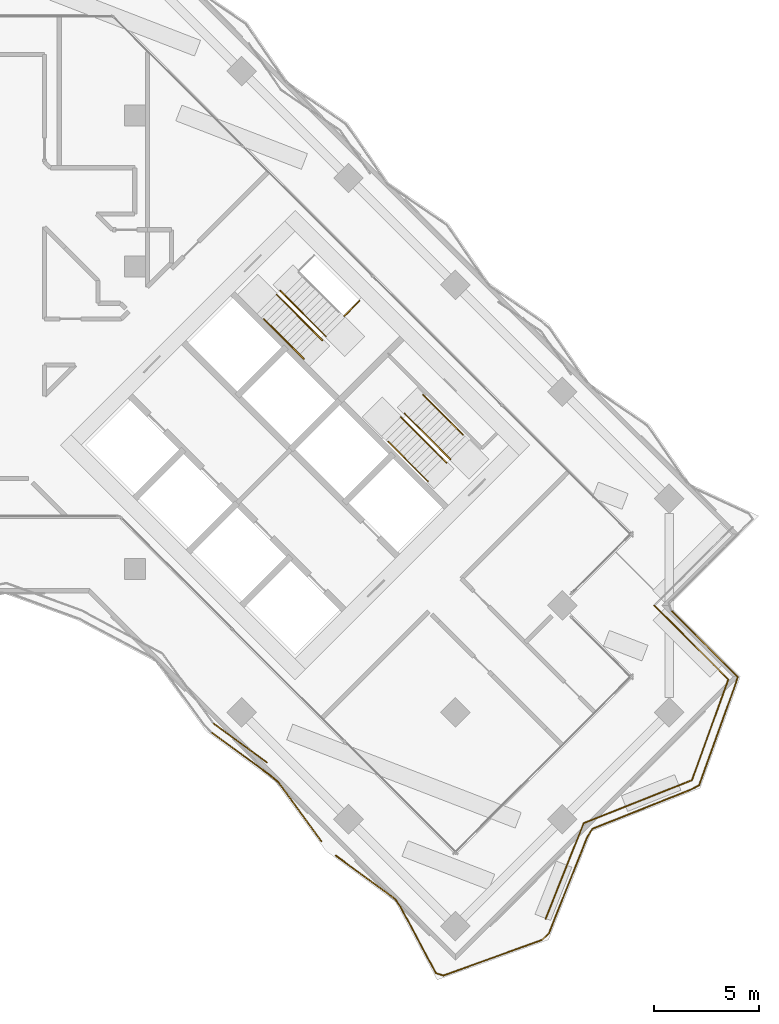
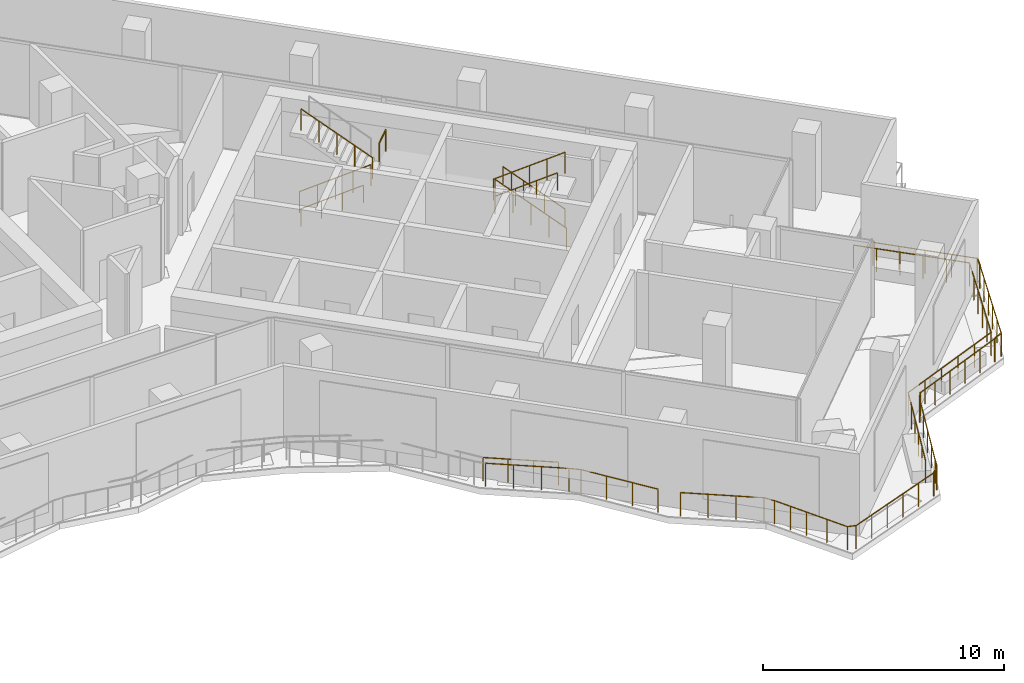
# One storey, part 21 of 23: 31 railings.
"""IFC4 building model written with IfcOpenShell, lengths in metres."""

from ifc_helpers import new_model, si_unit, direction, frame, origin, origin_2d, place, context, subcontext, project, spatial, circle, extrude, material, type_object, element, save


model = new_model("IFC4")

# Units and contexts
model_context = context("Model", 3, precision=1e-05, world=origin(), true_north=direction((0.0, 1.0)))
body_context = subcontext(model_context, "Body", "Model", "MODEL_VIEW")
ifc_project = project(units=[si_unit("LENGTHUNIT", "METRE"), si_unit("AREAUNIT", "SQUARE_METRE"), si_unit("VOLUMEUNIT", "CUBIC_METRE"), si_unit("PLANEANGLEUNIT", "RADIAN"), si_unit("MASSUNIT", "GRAM", prefix="KILO")], contexts=[model_context])

# Site, building, storey
site_placement = place(None, origin())
site = spatial("IfcSite", under=ifc_project, at=site_placement, CompositionType="ELEMENT")
building_placement = place(site_placement, origin())
building = spatial("IfcBuilding", under=site, at=building_placement, Name="Windrow Commons", CompositionType="ELEMENT")
storey_placement = place(building_placement, frame((0.0, 0.0, 122.0)))
storey = spatial("IfcBuildingStorey", under=building, at=storey_placement, Name="L33", CompositionType="ELEMENT", Elevation=122.0)

# Railings
ifc_material_1 = material(Name="Steel S355", Category="steel")
railing_type_1 = type_object("IfcRailingType", Name="Core stair guard 1100", PredefinedType="GUARDRAIL", material=ifc_material_1)
railing_1_placement = place(storey_placement, frame((85.9529, 56.2669, 0.175)))
element("IfcRailing", 1, at=railing_1_placement, inside=storey, type_object=railing_type_1, Name="L33 ST-B1 stair guard 1", PredefinedType="GUARDRAIL", context=body_context, shape_type="SweptSolid", body=[
    extrude(circle(Radius=0.024, at=origin_2d()), frame((0.0, 0.0, 1.076), z_axis=(0.5996262107, -0.5996262107, 0.5299969951), x_axis=(0.7071067812, 0.7071067812, 0.0)), (0.0, 0.0, 1.0), 3.6321),
    extrude(circle(Radius=0.021, at=origin_2d()), origin(), (0.0, 0.0, 1.0), 1.052),
    extrude(circle(Radius=0.021, at=origin_2d()), frame((0.5445, -0.5445, 0.4812)), (0.0, 0.0, 1.0), 1.052),
    extrude(circle(Radius=0.021, at=origin_2d()), frame((1.0889, -1.089, 0.9625)), (0.0, 0.0, 1.0), 1.052),
    extrude(circle(Radius=0.021, at=origin_2d()), frame((1.6334, -1.6334, 1.4437)), (0.0, 0.0, 1.0), 1.052),
    extrude(circle(Radius=0.021, at=origin_2d()), frame((2.1779, -2.1779, 1.925)), (0.0, 0.0, 1.0), 1.052),
])
railing_2_placement = place(storey_placement, frame((88.3075, 54.2658, 2.275)))
element("IfcRailing", 2, at=railing_2_placement, inside=storey, type_object=railing_type_1, Name="L33 ST-B1 stair guard 2", PredefinedType="GUARDRAIL", context=body_context, shape_type="SweptSolid", body=[
    extrude(circle(Radius=0.024, at=origin_2d()), frame((0.0, 0.0, 1.076), z_axis=(-0.5996262107, 0.5996262107, 0.5299969951), x_axis=(-0.7071067812, -0.7071067812, 0.0)), (0.0, 0.0, 1.0), 3.6321),
    extrude(circle(Radius=0.021, at=origin_2d()), origin(), (0.0, 0.0, 1.0), 1.052),
    extrude(circle(Radius=0.021, at=origin_2d()), frame((-0.5445, 0.5445, 0.4812)), (0.0, 0.0, 1.0), 1.052),
    extrude(circle(Radius=0.021, at=origin_2d()), frame((-1.089, 1.089, 0.9625)), (0.0, 0.0, 1.0), 1.052),
    extrude(circle(Radius=0.021, at=origin_2d()), frame((-1.6334, 1.6334, 1.4437)), (0.0, 0.0, 1.0), 1.052),
    extrude(circle(Radius=0.021, at=origin_2d()), frame((-2.1779, 2.1779, 1.925)), (0.0, 0.0, 1.0), 1.052),
])
railing_3_placement = place(storey_placement, frame((89.1773, 55.2345, 2.1)))
element("IfcRailing", 3, at=railing_3_placement, inside=storey, type_object=railing_type_1, Name="L33 ST-B1 stair guard 4", PredefinedType="GUARDRAIL", context=body_context, shape_type="SweptSolid", body=[
    extrude(circle(Radius=0.024, at=origin_2d()), frame((0.0, 0.0, 1.076), z_axis=(0.7071067812, 0.7071067812, 0.0), x_axis=(-0.7071067812, 0.7071067812, 0.0)), (0.0, 0.0, 1.0), 1.03),
    extrude(circle(Radius=0.021, at=origin_2d()), origin(), (0.0, 0.0, 1.0), 1.052),
    extrude(circle(Radius=0.021, at=origin_2d()), frame((0.7283, 0.7283, 0.0)), (0.0, 0.0, 1.0), 1.052),
])
railing_4_placement = place(storey_placement, frame((94.2296, 48.4215, 0.175)))
element("IfcRailing", 4, at=railing_4_placement, inside=storey, type_object=railing_type_1, Name="L33 ST-B2 stair guard 1", PredefinedType="GUARDRAIL", context=body_context, shape_type="SweptSolid", body=[
    extrude(circle(Radius=0.024, at=origin_2d()), frame((0.0, 0.0, 1.076), z_axis=(-0.5996262107, 0.5996262107, 0.5299969951), x_axis=(-0.7071067812, -0.7071067812, 0.0)), (0.0, 0.0, 1.0), 3.6321),
    extrude(circle(Radius=0.021, at=origin_2d()), origin(), (0.0, 0.0, 1.0), 1.052),
    extrude(circle(Radius=0.021, at=origin_2d()), frame((-0.5445, 0.5445, 0.4812)), (0.0, 0.0, 1.0), 1.052),
    extrude(circle(Radius=0.021, at=origin_2d()), frame((-1.089, 1.089, 0.9625)), (0.0, 0.0, 1.0), 1.052),
    extrude(circle(Radius=0.021, at=origin_2d()), frame((-1.6334, 1.6334, 1.4437)), (0.0, 0.0, 1.0), 1.052),
    extrude(circle(Radius=0.021, at=origin_2d()), frame((-2.1779, 2.1779, 1.925)), (0.0, 0.0, 1.0), 1.052),
])
railing_5_placement = place(storey_placement, frame((91.8749, 50.4226, 2.275)))
element("IfcRailing", 5, at=railing_5_placement, inside=storey, type_object=railing_type_1, Name="L33 ST-B2 stair guard 2", PredefinedType="GUARDRAIL", context=body_context, shape_type="SweptSolid", body=[
    extrude(circle(Radius=0.024, at=origin_2d()), frame((0.0, 0.0, 1.076), z_axis=(0.5996262107, -0.5996262107, 0.5299969951), x_axis=(0.7071067812, 0.7071067812, 0.0)), (0.0, 0.0, 1.0), 3.6321),
    extrude(circle(Radius=0.021, at=origin_2d()), origin(), (0.0, 0.0, 1.0), 1.052),
    extrude(circle(Radius=0.021, at=origin_2d()), frame((0.5445, -0.5445, 0.4812)), (0.0, 0.0, 1.0), 1.052),
    extrude(circle(Radius=0.021, at=origin_2d()), frame((1.089, -1.089, 0.9625)), (0.0, 0.0, 1.0), 1.052),
    extrude(circle(Radius=0.021, at=origin_2d()), frame((1.6334, -1.6334, 1.4437)), (0.0, 0.0, 1.0), 1.052),
    extrude(circle(Radius=0.021, at=origin_2d()), frame((2.1779, -2.1779, 1.925)), (0.0, 0.0, 1.0), 1.052),
])
ifc_material_2 = material(Name="Steel S355", Category="steel")
railing_type_2 = type_object("IfcRailingType", Name="Core stair handrail 900", PredefinedType="HANDRAIL", material=ifc_material_2)
railing_6_placement = place(storey_placement, frame((85.3518, 55.1001, 0.425)))
element("IfcRailing", 6, at=railing_6_placement, inside=storey, type_object=railing_type_2, Name="L33 ST-B1 stair handrail 1", PredefinedType="HANDRAIL", context=body_context, shape_type="SweptSolid", body=[
    extrude(circle(Radius=0.024, at=origin_2d()), frame((0.0, 0.0, 0.876), z_axis=(0.599641512, -0.5996098703, 0.5299981703), x_axis=(0.7070881243, 0.7071254376, 0.0)), (0.0, 0.0, 1.0), 3.1604),
    extrude(circle(Radius=0.021, at=origin_2d()), origin(), (0.0, 0.0, 1.0), 0.852),
    extrude(circle(Radius=0.021, at=origin_2d()), frame((0.6317, -0.6317, 0.5583)), (0.0, 0.0, 1.0), 0.852),
    extrude(circle(Radius=0.021, at=origin_2d()), frame((1.2634, -1.2633, 1.1167)), (0.0, 0.0, 1.0), 0.852),
    extrude(circle(Radius=0.021, at=origin_2d()), frame((1.8951, -1.895, 1.675)), (0.0, 0.0, 1.0), 0.852),
])
railing_7_placement = place(storey_placement, frame((94.8306, 49.5883, 0.425)))
element("IfcRailing", 7, at=railing_7_placement, inside=storey, type_object=railing_type_2, Name="L33 ST-B2 stair handrail 1", PredefinedType="HANDRAIL", context=body_context, shape_type="SweptSolid", body=[
    extrude(circle(Radius=0.024, at=origin_2d()), frame((0.0, 0.0, 0.876), z_axis=(-0.599641512, 0.5996098703, 0.5299981703), x_axis=(-0.7070881243, -0.7071254376, 0.0)), (0.0, 0.0, 1.0), 3.1604),
    extrude(circle(Radius=0.021, at=origin_2d()), origin(), (0.0, 0.0, 1.0), 0.852),
    extrude(circle(Radius=0.021, at=origin_2d()), frame((-0.6317, 0.6317, 0.5583)), (0.0, 0.0, 1.0), 0.852),
    extrude(circle(Radius=0.021, at=origin_2d()), frame((-1.2634, 1.2633, 1.1167)), (0.0, 0.0, 1.0), 0.852),
    extrude(circle(Radius=0.021, at=origin_2d()), frame((-1.8951, 1.895, 1.675)), (0.0, 0.0, 1.0), 0.852),
])
railing_8_placement = place(storey_placement, frame((91.2738, 49.2559, 2.525)))
element("IfcRailing", 8, at=railing_8_placement, inside=storey, type_object=railing_type_2, Name="L33 ST-B2 stair handrail 2", PredefinedType="HANDRAIL", context=body_context, shape_type="SweptSolid", body=[
    extrude(circle(Radius=0.024, at=origin_2d()), frame((0.0, 0.0, 0.876), z_axis=(0.599641512, -0.5996098703, 0.5299981703), x_axis=(0.7070881243, 0.7071254376, 0.0)), (0.0, 0.0, 1.0), 3.1604),
    extrude(circle(Radius=0.021, at=origin_2d()), origin(), (0.0, 0.0, 1.0), 0.852),
    extrude(circle(Radius=0.021, at=origin_2d()), frame((0.6317, -0.6317, 0.5583)), (0.0, 0.0, 1.0), 0.852),
    extrude(circle(Radius=0.021, at=origin_2d()), frame((1.2634, -1.2633, 1.1167)), (0.0, 0.0, 1.0), 0.852),
    extrude(circle(Radius=0.021, at=origin_2d()), frame((1.8951, -1.895, 1.675)), (0.0, 0.0, 1.0), 0.852),
])
ifc_material_3 = material(Name="Stainless steel S316 balustrade with toughened glass infill", Category="steel")
railing_type_3 = type_object("IfcRailingType", Name="Terrace guard 1200 podium", PredefinedType="BALUSTRADE", material=ifc_material_3)
railing_9_placement = place(storey_placement, frame((85.4926, 33.9736, 0.05)))
element("IfcRailing", 9, at=railing_9_placement, inside=storey, type_object=railing_type_3, Name="Guard TR-L33-1.E1", PredefinedType="BALUSTRADE", context=body_context, shape_type="SweptSolid", body=[
    extrude(circle(Radius=0.025, at=origin_2d()), frame((0.0, 0.0, 1.175), z_axis=(-0.8075342265, 0.5898207126, 0.0), x_axis=(-0.5898207126, -0.8075342265, 0.0)), (0.0, 0.0, 1.0), 3.1491),
    extrude(circle(Radius=0.02, at=origin_2d()), origin(), (0.0, 0.0, 1.0), 1.15),
    extrude(circle(Radius=0.02, at=origin_2d()), frame((-0.8477, 0.6191, 0.0)), (0.0, 0.0, 1.0), 1.15),
    extrude(circle(Radius=0.02, at=origin_2d()), frame((-1.6953, 1.2383, 0.0)), (0.0, 0.0, 1.0), 1.15),
    extrude(circle(Radius=0.02, at=origin_2d()), frame((-2.543, 1.8574, 0.0)), (0.0, 0.0, 1.0), 1.15),
])
railing_10_placement = place(storey_placement, frame((103.9487, 41.453, 0.05)))
element("IfcRailing", 10, at=railing_10_placement, inside=storey, type_object=railing_type_3, Name="Guard TR-L33-1.E39", PredefinedType="BALUSTRADE", context=body_context, shape_type="SweptSolid", body=[
    extrude(circle(Radius=0.025, at=origin_2d()), frame((0.0, 0.0, 1.175), z_axis=(0.7071067812, -0.7071067812, 0.0), x_axis=(0.7071067812, 0.7071067812, 0.0)), (0.0, 0.0, 1.0), 4.9826),
    extrude(circle(Radius=0.02, at=origin_2d()), origin(), (0.0, 0.0, 1.0), 1.15),
    extrude(circle(Radius=0.02, at=origin_2d()), frame((0.7046, -0.7046, 0.0)), (0.0, 0.0, 1.0), 1.15),
    extrude(circle(Radius=0.02, at=origin_2d()), frame((1.4093, -1.4093, 0.0)), (0.0, 0.0, 1.0), 1.15),
    extrude(circle(Radius=0.02, at=origin_2d()), frame((2.1139, -2.1139, 0.0)), (0.0, 0.0, 1.0), 1.15),
    extrude(circle(Radius=0.02, at=origin_2d()), frame((2.8186, -2.8186, 0.0)), (0.0, 0.0, 1.0), 1.15),
    extrude(circle(Radius=0.02, at=origin_2d()), frame((3.5232, -3.5232, 0.0)), (0.0, 0.0, 1.0), 1.15),
])
railing_11_placement = place(storey_placement, frame((107.4719, 37.9298, 0.05)))
element("IfcRailing", 11, at=railing_11_placement, inside=storey, type_object=railing_type_3, Name="Guard TR-L33-1.E40", PredefinedType="BALUSTRADE", context=body_context, shape_type="SweptSolid", body=[
    extrude(circle(Radius=0.025, at=origin_2d()), frame((0.0, 0.0, 1.175), z_axis=(-0.3392546787, -0.9406945641, 0.0), x_axis=(0.9406945641, -0.3392546787, 0.0)), (0.0, 0.0, 1.0), 5.1006),
    extrude(circle(Radius=0.02, at=origin_2d()), origin(), (0.0, 0.0, 1.0), 1.15),
    extrude(circle(Radius=0.02, at=origin_2d()), frame((-0.3461, -0.9596, 0.0)), (0.0, 0.0, 1.0), 1.15),
    extrude(circle(Radius=0.02, at=origin_2d()), frame((-0.6922, -1.9192, 0.0)), (0.0, 0.0, 1.0), 1.15),
    extrude(circle(Radius=0.02, at=origin_2d()), frame((-1.0382, -2.8789, 0.0)), (0.0, 0.0, 1.0), 1.15),
    extrude(circle(Radius=0.02, at=origin_2d()), frame((-1.3843, -3.8385, 0.0)), (0.0, 0.0, 1.0), 1.15),
    extrude(circle(Radius=0.02, at=origin_2d()), frame((-1.7304, -4.7981, 0.0)), (0.0, 0.0, 1.0), 1.15),
])
railing_12_placement = place(storey_placement, frame((105.7415, 33.1317, 0.05)))
element("IfcRailing", 12, at=railing_12_placement, inside=storey, type_object=railing_type_3, Name="Guard TR-L33-1.E41", PredefinedType="BALUSTRADE", context=body_context, shape_type="SweptSolid", body=[
    extrude(circle(Radius=0.025, at=origin_2d()), frame((0.0, 0.0, 1.175), z_axis=(-0.9291571425, -0.3696850071, 0.0), x_axis=(0.3696850071, -0.9291571425, 0.0)), (0.0, 0.0, 1.0), 5.5515),
    extrude(circle(Radius=0.02, at=origin_2d()), origin(), (0.0, 0.0, 1.0), 1.15),
    extrude(circle(Radius=0.02, at=origin_2d()), frame((-1.0316, -0.4105, 0.0)), (0.0, 0.0, 1.0), 1.15),
    extrude(circle(Radius=0.02, at=origin_2d()), frame((-2.0633, -0.8209, 0.0)), (0.0, 0.0, 1.0), 1.15),
    extrude(circle(Radius=0.02, at=origin_2d()), frame((-3.0949, -1.2314, 0.0)), (0.0, 0.0, 1.0), 1.15),
    extrude(circle(Radius=0.02, at=origin_2d()), frame((-4.1266, -1.6418, 0.0)), (0.0, 0.0, 1.0), 1.15),
    extrude(circle(Radius=0.02, at=origin_2d()), frame((-5.1582, -2.0523, 0.0)), (0.0, 0.0, 1.0), 1.15),
])
railing_13_placement = place(storey_placement, frame((100.5833, 31.0794, 0.05)))
element("IfcRailing", 13, at=railing_13_placement, inside=storey, type_object=railing_type_3, Name="Guard TR-L33-1.E42", PredefinedType="BALUSTRADE", context=body_context, shape_type="SweptSolid", body=[
    extrude(circle(Radius=0.025, at=origin_2d()), frame((0.0, 0.0, 1.175), z_axis=(-0.3696697173, -0.9291632258, 0.0), x_axis=(0.9291632258, -0.3696697173, 0.0)), (0.0, 0.0, 1.0), 4.9109),
    extrude(circle(Radius=0.02, at=origin_2d()), origin(), (0.0, 0.0, 1.0), 1.15),
    extrude(circle(Radius=0.02, at=origin_2d()), frame((-0.3631, -0.9126, 0.0)), (0.0, 0.0, 1.0), 1.15),
    extrude(circle(Radius=0.02, at=origin_2d()), frame((-0.7262, -1.8252, 0.0)), (0.0, 0.0, 1.0), 1.15),
    extrude(circle(Radius=0.02, at=origin_2d()), frame((-1.0892, -2.7378, 0.0)), (0.0, 0.0, 1.0), 1.15),
    extrude(circle(Radius=0.02, at=origin_2d()), frame((-1.4523, -3.6504, 0.0)), (0.0, 0.0, 1.0), 1.15),
    extrude(circle(Radius=0.02, at=origin_2d()), frame((-1.8154, -4.563, 0.0)), (0.0, 0.0, 1.0), 1.15),
])
railing_14_placement = place(storey_placement, frame((99.1125, 26.3006, 0.05)))
element("IfcRailing", 14, at=railing_14_placement, inside=storey, type_object=railing_type_3, Name="Guard TR-L33-1.C30", PredefinedType="BALUSTRADE", context=body_context, shape_type="SweptSolid", body=[
    extrude(circle(Radius=0.025, at=origin_2d()), frame((0.0, 0.0, 1.175), z_axis=(-0.3696637309, -0.9291656074, 0.0), x_axis=(0.9291656074, -0.3696637309, 0.0)), (0.0, 0.0, 1.0), 0.4994),
    extrude(circle(Radius=0.02, at=origin_2d()), origin(), (0.0, 0.0, 1.0), 1.15),
    extrude(circle(Radius=0.02, at=origin_2d()), frame((-0.1846, -0.464, 0.0)), (0.0, 0.0, 1.0), 1.15),
])
railing_15_placement = place(storey_placement, frame((98.9279, 25.8366, 0.05)))
element("IfcRailing", 15, at=railing_15_placement, inside=storey, type_object=railing_type_3, Name="Guard TR-L33-1.C31", PredefinedType="BALUSTRADE", context=body_context, shape_type="SweptSolid", body=[
    extrude(circle(Radius=0.025, at=origin_2d()), frame((0.0, 0.0, 1.175), z_axis=(-0.720482739, -0.693472871, 0.0), x_axis=(0.693472871, -0.720482739, 0.0)), (0.0, 0.0, 1.0), 0.4554),
    extrude(circle(Radius=0.02, at=origin_2d()), origin(), (0.0, 0.0, 1.0), 1.15),
    extrude(circle(Radius=0.02, at=origin_2d()), frame((-0.3281, -0.3158, 0.0)), (0.0, 0.0, 1.0), 1.15),
])
railing_16_placement = place(storey_placement, frame((98.5998, 25.5208, 0.05)))
element("IfcRailing", 16, at=railing_16_placement, inside=storey, type_object=railing_type_3, Name="Guard TR-L33-1.C32", PredefinedType="BALUSTRADE", context=body_context, shape_type="SweptSolid", body=[
    extrude(circle(Radius=0.025, at=origin_2d()), frame((0.0, 0.0, 1.175), z_axis=(-0.9406917141, -0.3392625813, 0.0), x_axis=(0.3392625813, -0.9406917141, 0.0)), (0.0, 0.0, 1.0), 4.9938),
    extrude(circle(Radius=0.02, at=origin_2d()), origin(), (0.0, 0.0, 1.0), 1.15),
    extrude(circle(Radius=0.02, at=origin_2d()), frame((-0.9395, -0.3388, 0.0)), (0.0, 0.0, 1.0), 1.15),
    extrude(circle(Radius=0.02, at=origin_2d()), frame((-1.879, -0.6777, 0.0)), (0.0, 0.0, 1.0), 1.15),
    extrude(circle(Radius=0.02, at=origin_2d()), frame((-2.8186, -1.0165, 0.0)), (0.0, 0.0, 1.0), 1.15),
    extrude(circle(Radius=0.02, at=origin_2d()), frame((-3.7581, -1.3554, 0.0)), (0.0, 0.0, 1.0), 1.15),
    extrude(circle(Radius=0.02, at=origin_2d()), frame((-4.6976, -1.6942, 0.0)), (0.0, 0.0, 1.0), 1.15),
])
railing_17_placement = place(storey_placement, frame((93.9022, 23.8266, 0.05)))
element("IfcRailing", 17, at=railing_17_placement, inside=storey, type_object=railing_type_3, Name="Guard TR-L33-1.C33", PredefinedType="BALUSTRADE", context=body_context, shape_type="SweptSolid", body=[
    extrude(circle(Radius=0.025, at=origin_2d()), frame((0.0, 0.0, 1.175), z_axis=(-0.9529049431, 0.303269137, 0.0), x_axis=(-0.303269137, -0.9529049431, 0.0)), (0.0, 0.0, 1.0), 0.3782),
    extrude(circle(Radius=0.02, at=origin_2d()), origin(), (0.0, 0.0, 1.0), 1.15),
    extrude(circle(Radius=0.02, at=origin_2d()), frame((-0.3604, 0.1147, 0.0)), (0.0, 0.0, 1.0), 1.15),
])
railing_18_placement = place(storey_placement, frame((93.5418, 23.9413, 0.05)))
element("IfcRailing", 18, at=railing_18_placement, inside=storey, type_object=railing_type_3, Name="Guard TR-L33-1.C34", PredefinedType="BALUSTRADE", context=body_context, shape_type="SweptSolid", body=[
    extrude(circle(Radius=0.025, at=origin_2d()), frame((0.0, 0.0, 1.175), z_axis=(-0.4707259413, 0.8822794842, 0.0), x_axis=(-0.8822794842, -0.4707259413, 0.0)), (0.0, 0.0, 1.0), 1.9976),
    extrude(circle(Radius=0.02, at=origin_2d()), origin(), (0.0, 0.0, 1.0), 1.15),
    extrude(circle(Radius=0.02, at=origin_2d()), frame((-0.4701, 0.8812, 0.0)), (0.0, 0.0, 1.0), 1.15),
    extrude(circle(Radius=0.02, at=origin_2d()), frame((-0.9403, 1.7624, 0.0)), (0.0, 0.0, 1.0), 1.15),
])
railing_19_placement = place(storey_placement, frame((88.0957, 30.2179, 0.05)))
element("IfcRailing", 19, at=railing_19_placement, inside=storey, type_object=railing_type_3, Name="Guard TR-L33-1.C57", PredefinedType="BALUSTRADE", context=body_context, shape_type="SweptSolid", body=[
    extrude(circle(Radius=0.025, at=origin_2d()), frame((0.0, 0.0, 1.175), z_axis=(-0.5898221887, 0.8075331484, 0.0), x_axis=(-0.8075331484, -0.5898221887, 0.0)), (0.0, 0.0, 1.0), 3.4955),
    extrude(circle(Radius=0.02, at=origin_2d()), origin(), (0.0, 0.0, 1.0), 1.15),
    extrude(circle(Radius=0.02, at=origin_2d()), frame((-0.6872, 0.9409, 0.0)), (0.0, 0.0, 1.0), 1.15),
    extrude(circle(Radius=0.02, at=origin_2d()), frame((-1.3745, 1.8818, 0.0)), (0.0, 0.0, 1.0), 1.15),
    extrude(circle(Radius=0.02, at=origin_2d()), frame((-2.0617, 2.8227, 0.0)), (0.0, 0.0, 1.0), 1.15),
])
railing_20_placement = place(storey_placement, frame((86.034, 33.0406, 0.05)))
element("IfcRailing", 20, at=railing_20_placement, inside=storey, type_object=railing_type_3, Name="Guard TR-L33-1.C58", PredefinedType="BALUSTRADE", context=body_context, shape_type="SweptSolid", body=[
    extrude(circle(Radius=0.025, at=origin_2d()), frame((0.0, 0.0, 1.175), z_axis=(-0.7650002206, 0.6440300168, 0.0), x_axis=(-0.6440300168, -0.7650002206, 0.0)), (0.0, 0.0, 1.0), 0.4952),
    extrude(circle(Radius=0.02, at=origin_2d()), origin(), (0.0, 0.0, 1.0), 1.15),
    extrude(circle(Radius=0.02, at=origin_2d()), frame((-0.3788, 0.3189, 0.0)), (0.0, 0.0, 1.0), 1.15),
])
railing_21_placement = place(storey_placement, frame((85.6552, 33.3595, 0.05)))
element("IfcRailing", 21, at=railing_21_placement, inside=storey, type_object=railing_type_3, Name="Guard TR-L33-1.C59", PredefinedType="BALUSTRADE", context=body_context, shape_type="SweptSolid", body=[
    extrude(circle(Radius=0.025, at=origin_2d()), frame((0.0, 0.0, 1.175), z_axis=(-0.8075231954, 0.5898358152, 0.0), x_axis=(-0.5898358152, -0.8075231954, 0.0)), (0.0, 0.0, 1.0), 3.4954),
    extrude(circle(Radius=0.02, at=origin_2d()), origin(), (0.0, 0.0, 1.0), 1.15),
    extrude(circle(Radius=0.02, at=origin_2d()), frame((-0.9409, 0.6872, 0.0)), (0.0, 0.0, 1.0), 1.15),
    extrude(circle(Radius=0.02, at=origin_2d()), frame((-1.8817, 1.3745, 0.0)), (0.0, 0.0, 1.0), 1.15),
    extrude(circle(Radius=0.02, at=origin_2d()), frame((-2.8226, 2.0617, 0.0)), (0.0, 0.0, 1.0), 1.15),
])
railing_22_placement = place(storey_placement, frame((104.7436, 41.2237, 0.05)))
element("IfcRailing", 22, at=railing_22_placement, inside=storey, type_object=railing_type_3, Name="Guard TR-L33-1.C138", PredefinedType="BALUSTRADE", context=body_context, shape_type="SweptSolid", body=[
    extrude(circle(Radius=0.025, at=origin_2d()), frame((0.0, 0.0, 1.175), z_axis=(0.7071290323, -0.7070845294, 0.0), x_axis=(0.7070845294, 0.7071290323, 0.0)), (0.0, 0.0, 1.0), 4.4941),
    extrude(circle(Radius=0.02, at=origin_2d()), origin(), (0.0, 0.0, 1.0), 1.15),
    extrude(circle(Radius=0.02, at=origin_2d()), frame((0.7945, -0.7944, 0.0)), (0.0, 0.0, 1.0), 1.15),
    extrude(circle(Radius=0.02, at=origin_2d()), frame((1.5889, -1.5889, 0.0)), (0.0, 0.0, 1.0), 1.15),
    extrude(circle(Radius=0.02, at=origin_2d()), frame((2.3834, -2.3833, 0.0)), (0.0, 0.0, 1.0), 1.15),
    extrude(circle(Radius=0.02, at=origin_2d()), frame((3.1779, -3.1777, 0.0)), (0.0, 0.0, 1.0), 1.15),
])
railing_23_placement = place(storey_placement, frame((107.9215, 38.046, 0.05)))
element("IfcRailing", 23, at=railing_23_placement, inside=storey, type_object=railing_type_3, Name="Guard TR-L33-1.C139", PredefinedType="BALUSTRADE", context=body_context, shape_type="SweptSolid", body=[
    extrude(circle(Radius=0.025, at=origin_2d()), frame((0.0, 0.0, 1.175), z_axis=(-0.3072596079, -0.9516257318, 0.0), x_axis=(0.9516257318, -0.3072596079, 0.0)), (0.0, 0.0, 1.0), 0.4892),
    extrude(circle(Radius=0.02, at=origin_2d()), origin(), (0.0, 0.0, 1.0), 1.15),
    extrude(circle(Radius=0.02, at=origin_2d()), frame((-0.1503, -0.4655, 0.0)), (0.0, 0.0, 1.0), 1.15),
])
railing_24_placement = place(storey_placement, frame((107.7712, 37.5805, 0.05)))
element("IfcRailing", 24, at=railing_24_placement, inside=storey, type_object=railing_type_3, Name="Guard TR-L33-1.C140", PredefinedType="BALUSTRADE", context=body_context, shape_type="SweptSolid", body=[
    extrude(circle(Radius=0.025, at=origin_2d()), frame((0.0, 0.0, 1.175), z_axis=(-0.3392640337, -0.9406911903, 0.0), x_axis=(0.9406911903, -0.3392640337, 0.0)), (0.0, 0.0, 1.0), 4.9935),
    extrude(circle(Radius=0.02, at=origin_2d()), origin(), (0.0, 0.0, 1.0), 1.15),
    extrude(circle(Radius=0.02, at=origin_2d()), frame((-0.3388, -0.9395, 0.0)), (0.0, 0.0, 1.0), 1.15),
    extrude(circle(Radius=0.02, at=origin_2d()), frame((-0.6776, -1.8789, 0.0)), (0.0, 0.0, 1.0), 1.15),
    extrude(circle(Radius=0.02, at=origin_2d()), frame((-1.0165, -2.8184, 0.0)), (0.0, 0.0, 1.0), 1.15),
    extrude(circle(Radius=0.02, at=origin_2d()), frame((-1.3553, -3.7578, 0.0)), (0.0, 0.0, 1.0), 1.15),
    extrude(circle(Radius=0.02, at=origin_2d()), frame((-1.6941, -4.6973, 0.0)), (0.0, 0.0, 1.0), 1.15),
])
railing_25_placement = place(storey_placement, frame((106.0771, 32.8832, 0.05)))
element("IfcRailing", 25, at=railing_25_placement, inside=storey, type_object=railing_type_3, Name="Guard TR-L33-1.C141", PredefinedType="BALUSTRADE", context=body_context, shape_type="SweptSolid", body=[
    extrude(circle(Radius=0.025, at=origin_2d()), frame((0.0, 0.0, 1.175), z_axis=(-0.8904009886, -0.455176976, 0.0), x_axis=(0.455176976, -0.8904009886, 0.0)), (0.0, 0.0, 1.0), 0.4811),
    extrude(circle(Radius=0.02, at=origin_2d()), origin(), (0.0, 0.0, 1.0), 1.15),
    extrude(circle(Radius=0.02, at=origin_2d()), frame((-0.4284, -0.219, 0.0)), (0.0, 0.0, 1.0), 1.15),
])
railing_26_placement = place(storey_placement, frame((105.6487, 32.6642, 0.05)))
element("IfcRailing", 26, at=railing_26_placement, inside=storey, type_object=railing_type_3, Name="Guard TR-L33-1.C142", PredefinedType="BALUSTRADE", context=body_context, shape_type="SweptSolid", body=[
    extrude(circle(Radius=0.025, at=origin_2d()), frame((0.0, 0.0, 1.175), z_axis=(-0.9291573974, -0.3696843666, 0.0), x_axis=(0.3696843666, -0.9291573974, 0.0)), (0.0, 0.0, 1.0), 4.9934),
    extrude(circle(Radius=0.02, at=origin_2d()), origin(), (0.0, 0.0, 1.0), 1.15),
    extrude(circle(Radius=0.02, at=origin_2d()), frame((-0.9279, -0.3692, 0.0)), (0.0, 0.0, 1.0), 1.15),
    extrude(circle(Radius=0.02, at=origin_2d()), frame((-1.8559, -0.7384, 0.0)), (0.0, 0.0, 1.0), 1.15),
    extrude(circle(Radius=0.02, at=origin_2d()), frame((-2.7838, -1.1076, 0.0)), (0.0, 0.0, 1.0), 1.15),
    extrude(circle(Radius=0.02, at=origin_2d()), frame((-3.7118, -1.4768, 0.0)), (0.0, 0.0, 1.0), 1.15),
    extrude(circle(Radius=0.02, at=origin_2d()), frame((-4.6397, -1.846, 0.0)), (0.0, 0.0, 1.0), 1.15),
])
railing_27_placement = place(storey_placement, frame((101.009, 30.8182, 0.05)))
element("IfcRailing", 27, at=railing_27_placement, inside=storey, type_object=railing_type_3, Name="Guard TR-L33-1.C143", PredefinedType="BALUSTRADE", context=body_context, shape_type="SweptSolid", body=[
    extrude(circle(Radius=0.025, at=origin_2d()), frame((0.0, 0.0, 1.175), z_axis=(-0.544965859, -0.8384582354, 0.0), x_axis=(0.8384582354, -0.544965859, 0.0)), (0.0, 0.0, 1.0), 0.4688),
    extrude(circle(Radius=0.02, at=origin_2d()), origin(), (0.0, 0.0, 1.0), 1.15),
    extrude(circle(Radius=0.02, at=origin_2d()), frame((-0.2555, -0.3931, 0.0)), (0.0, 0.0, 1.0), 1.15),
])
railing_28_placement = place(storey_placement, frame((100.7535, 30.4251, 0.05)))
element("IfcRailing", 28, at=railing_28_placement, inside=storey, type_object=railing_type_3, Name="Guard TR-L33-1.C144", PredefinedType="BALUSTRADE", context=body_context, shape_type="SweptSolid", body=[
    extrude(circle(Radius=0.025, at=origin_2d()), frame((0.0, 0.0, 1.175), z_axis=(-0.3696810424, -0.92915872, 0.0), x_axis=(0.92915872, -0.3696810424, 0.0)), (0.0, 0.0, 1.0), 4.439),
    extrude(circle(Radius=0.02, at=origin_2d()), origin(), (0.0, 0.0, 1.0), 1.15),
    extrude(circle(Radius=0.02, at=origin_2d()), frame((-0.4103, -1.0311, 0.0)), (0.0, 0.0, 1.0), 1.15),
    extrude(circle(Radius=0.02, at=origin_2d()), frame((-0.8205, -2.0623, 0.0)), (0.0, 0.0, 1.0), 1.15),
    extrude(circle(Radius=0.02, at=origin_2d()), frame((-1.2308, -3.0934, 0.0)), (0.0, 0.0, 1.0), 1.15),
    extrude(circle(Radius=0.02, at=origin_2d()), frame((-1.641, -4.1245, 0.0)), (0.0, 0.0, 1.0), 1.15),
])
railing_29_placement = place(storey_placement, frame((92.6015, 25.7037, 0.05)))
element("IfcRailing", 29, at=railing_29_placement, inside=storey, type_object=railing_type_3, Name="Guard TR-L33-1.C145", PredefinedType="BALUSTRADE", context=body_context, shape_type="SweptSolid", body=[
    extrude(circle(Radius=0.025, at=origin_2d()), frame((0.0, 0.0, 1.175), z_axis=(-0.4707085819, 0.8822887458, 0.0), x_axis=(-0.8822887458, -0.4707085819, 0.0)), (0.0, 0.0, 1.0), 1.5526),
    extrude(circle(Radius=0.02, at=origin_2d()), origin(), (0.0, 0.0, 1.0), 1.15),
    extrude(circle(Radius=0.02, at=origin_2d()), frame((-0.3654, 0.6849, 0.0)), (0.0, 0.0, 1.0), 1.15),
    extrude(circle(Radius=0.02, at=origin_2d()), frame((-0.7308, 1.3698, 0.0)), (0.0, 0.0, 1.0), 1.15),
])
railing_30_placement = place(storey_placement, frame((91.8707, 27.0735, 0.05)))
element("IfcRailing", 30, at=railing_30_placement, inside=storey, type_object=railing_type_3, Name="Guard TR-L33-1.C146", PredefinedType="BALUSTRADE", context=body_context, shape_type="SweptSolid", body=[
    extrude(circle(Radius=0.025, at=origin_2d()), frame((0.0, 0.0, 1.175), z_axis=(-0.5613667274, 0.8275671558, 0.0), x_axis=(-0.8275671558, -0.5613667274, 0.0)), (0.0, 0.0, 1.0), 0.4902),
    extrude(circle(Radius=0.02, at=origin_2d()), origin(), (0.0, 0.0, 1.0), 1.15),
    extrude(circle(Radius=0.02, at=origin_2d()), frame((-0.2752, 0.4057, 0.0)), (0.0, 0.0, 1.0), 1.15),
])
railing_31_placement = place(storey_placement, frame((91.5955, 27.4792, 0.05)))
element("IfcRailing", 31, at=railing_31_placement, inside=storey, type_object=railing_type_3, Name="Guard TR-L33-1.C147", PredefinedType="BALUSTRADE", context=body_context, shape_type="SweptSolid", body=[
    extrude(circle(Radius=0.025, at=origin_2d()), frame((0.0, 0.0, 1.175), z_axis=(-0.8075467747, 0.5898035323, 0.0), x_axis=(-0.5898035323, -0.8075467747, 0.0)), (0.0, 0.0, 1.0), 3.4954),
    extrude(circle(Radius=0.02, at=origin_2d()), origin(), (0.0, 0.0, 1.0), 1.15),
    extrude(circle(Radius=0.02, at=origin_2d()), frame((-0.9409, 0.6872, 0.0)), (0.0, 0.0, 1.0), 1.15),
    extrude(circle(Radius=0.02, at=origin_2d()), frame((-1.8818, 1.3744, 0.0)), (0.0, 0.0, 1.0), 1.15),
    extrude(circle(Radius=0.02, at=origin_2d()), frame((-2.8227, 2.0616, 0.0)), (0.0, 0.0, 1.0), 1.15),
])

save(model, "model.ifc")
